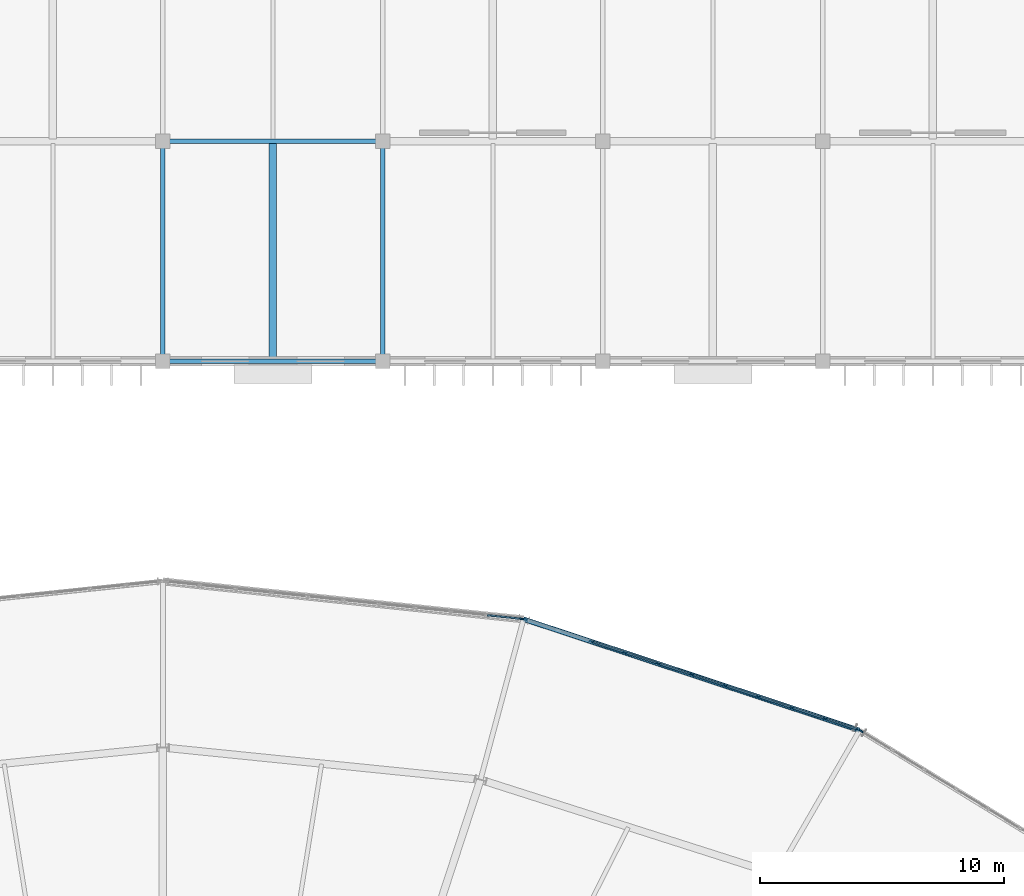
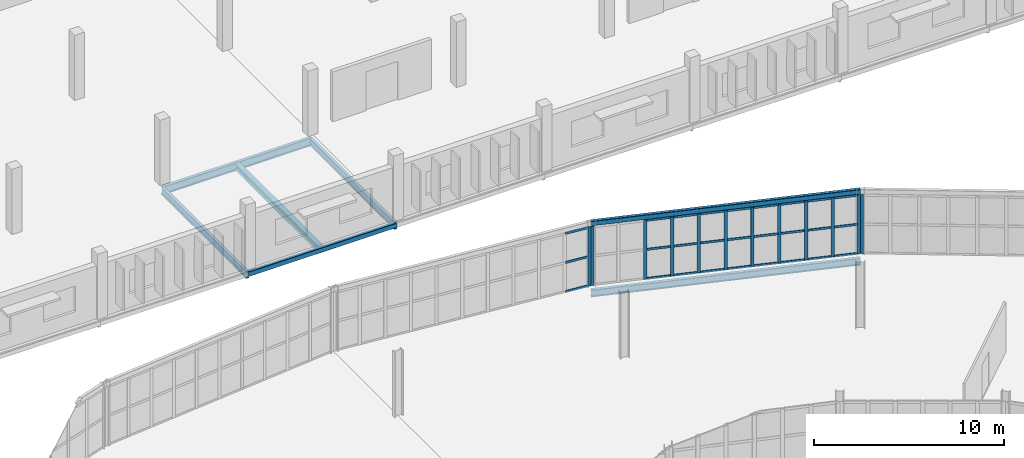
# One storey, part 99 of 161: 39 members, 7 beams, 3 elements without a shape of their own.
"""IFC4 building model written with IfcOpenShell, lengths in metres."""

from ifc_helpers import new_model, si_unit, direction, frame, origin, origin_2d, place, context, subcontext, project, spatial, rectangle, hollow_rectangle, i_section, extrude, material, material_profile, profile_set, type_object, element, aggregate, save


model = new_model("IFC4")

# Units and contexts
model_context = context("Model", 3, precision=1e-05, world=origin(), true_north=direction((0.0, 1.0)))
body_context = subcontext(model_context, "Body", "Model", "MODEL_VIEW")
ifc_project = project(units=[si_unit("LENGTHUNIT", "METRE"), si_unit("AREAUNIT", "SQUARE_METRE"), si_unit("VOLUMEUNIT", "CUBIC_METRE"), si_unit("PLANEANGLEUNIT", "RADIAN"), si_unit("MASSUNIT", "GRAM", prefix="KILO")], contexts=[model_context])

# Site, building, storey
site_placement = place(None, origin())
site = spatial("IfcSite", under=ifc_project, at=site_placement, CompositionType="ELEMENT")
building_placement = place(site_placement, origin())
building = spatial("IfcBuilding", under=site, at=building_placement, Name="Kildeholm Park Wholesale Market", CompositionType="ELEMENT")
storey_placement = place(building_placement, frame((0.0, 0.0, 5.39990234375)))
storey = spatial("IfcBuildingStorey", under=building, at=storey_placement, Name="L01", CompositionType="ELEMENT", Elevation=5.39990234375)

# Beams
ifc_material_1 = material(Name="Steel S355", Category="steel")
ifc_material_profile_1 = material_profile(ifc_material_1, i_section(OverallWidth=0.18994140625, OverallDepth=0.449951171875, WebThickness=0.009521484375, FlangeThickness=0.0146484375, FilletRadius=0.02099609375, at=origin_2d()), Name="IPE 450")
ifc_profile_set_1 = profile_set([ifc_material_profile_1], Name="Steel S355")
beam_type_1 = type_object("IfcBeamType", Name="Beam B-P02 IPE 450", PredefinedType="BEAM", material=ifc_profile_set_1)
beam_1_placement = place(storey_placement, frame((127.5, 128.904052734375, -0.474853515625), z_axis=(-0.949435985478, 0.313960681424, 0.0), x_axis=(-0.313960681424, -0.949435985478, 0.0)))
element("IfcBeam", 1, at=beam_1_placement, inside=storey, type_object=beam_type_1, Name="Beam BM-V1-L01-CO-04 BM-0042", PredefinedType="BEAM", context=body_context, shape_type="SweptSolid", body=[
    extrude(i_section(OverallWidth=0.18994140625, OverallDepth=0.449951171875, WebThickness=0.009521484375, FlangeThickness=0.0146484375, FilletRadius=0.02099609375, at=origin_2d()), origin(), (0.0, 0.0, 1.0), 14.479248046875),
])
for number, where, z_axis, x_axis, name in (
    (2, (99.0, 144.0, -0.544921875), (0.0, 1.0, 0.0), (-1.0, 0.0, 0.0), "Beam BM-V4-L01-Y-099-144 BM-0590"),
    (3, (108.0, 144.0, -0.544921875), (0.0, 1.0, 0.0), (-1.0, 0.0, 0.0), "Beam BM-V4-L01-Y-108-144 BM-0600"),
):
    element("IfcBeam", number, at=place(storey_placement, frame(where, z_axis=z_axis, x_axis=x_axis)), inside=storey, type_object=beam_type_1, Name=name, PredefinedType="BEAM", context=body_context, shape_type="SweptSolid", body=[
        extrude(i_section(OverallWidth=0.18994140625, OverallDepth=0.449951171875, WebThickness=0.009521484375, FlangeThickness=0.0146484375, FilletRadius=0.02099609375, at=origin_2d()), origin(), (0.0, 0.0, 1.0), 9.0),
    ])
ifc_material_profile_2 = material_profile(ifc_material_1, i_section(OverallWidth=0.199951171875, OverallDepth=0.5, WebThickness=0.01025390625, FlangeThickness=0.01611328125, FilletRadius=0.02099609375, at=origin_2d()), Name="IPE 500")
ifc_profile_set_2 = profile_set([ifc_material_profile_2], Name="Steel S355")
beam_type_2 = type_object("IfcBeamType", Name="Beam B-P03 IPE 500", PredefinedType="BEAM", material=ifc_profile_set_2)
beam_2_placement = place(storey_placement, frame((99.0, 153.0, -0.56982421875), z_axis=(1.0, 0.0, 0.0), x_axis=(0.0, 1.0, 0.0)))
element("IfcBeam", 4, at=beam_2_placement, inside=storey, type_object=beam_type_2, Name="Beam BM-V4-L01-X-099-153 BM-0592", PredefinedType="BEAM", context=body_context, shape_type="SweptSolid", body=[
    extrude(i_section(OverallWidth=0.199951171875, OverallDepth=0.5, WebThickness=0.01025390625, FlangeThickness=0.01611328125, FilletRadius=0.02099609375, at=origin_2d()), origin(), (0.0, 0.0, 1.0), 9.0),
])
ifc_material_profile_3 = material_profile(ifc_material_1, i_section(OverallWidth=0.300048828125, OverallDepth=0.389892578125, WebThickness=0.010986328125, FlangeThickness=0.01904296875, FilletRadius=0.027099609375, at=origin_2d()), Name="HEA 400")
ifc_profile_set_3 = profile_set([ifc_material_profile_3], Name="Steel S355")
beam_type_3 = type_object("IfcBeamType", Name="Beam J-06 HEA 400", PredefinedType="JOIST", material=ifc_profile_set_3)
beam_3_placement = place(storey_placement, frame((103.5, 144.0849609375, -0.514892578125), z_axis=(0.0, 1.0, 0.0), x_axis=(-1.0, 0.0, 0.0)))
element("IfcBeam", 5, at=beam_3_placement, inside=storey, type_object=beam_type_3, Name="Beam JT-V4-L01-099-144 BM-0591", PredefinedType="JOIST", context=body_context, shape_type="SweptSolid", body=[
    extrude(i_section(OverallWidth=0.300048828125, OverallDepth=0.389892578125, WebThickness=0.010986328125, FlangeThickness=0.01904296875, FilletRadius=0.027099609375, at=origin_2d()), origin(), (0.0, 0.0, 1.0), 8.830078125),
])
ifc_material_profile_4 = material_profile(ifc_material_1, hollow_rectangle(XDim=0.199951171875, YDim=0.300048828125, WallThickness=0.012451171875, InnerFilletRadius=0.012451171875, OuterFilletRadius=0.02490234375, at=origin_2d()), Name="RHS 300x200x12.5")
ifc_profile_set_4 = profile_set([ifc_material_profile_4], Name="Steel S355")
beam_type_4 = type_object("IfcBeamType", Name="Beam SP-01 RHS 300x200x12.5", PredefinedType="SPANDREL", material=ifc_profile_set_4)
beam_4_placement = place(storey_placement, frame((127.5, 128.904052734375, 4.02294921875), z_axis=(-0.949435985478, 0.313960681424, 0.0), x_axis=(-0.313960681424, -0.949435985478, 0.0)))
element("IfcBeam", 6, at=beam_4_placement, inside=storey, type_object=beam_type_4, Name="Beam SP-V1-EAV-04 BM-0244", PredefinedType="SPANDREL", context=body_context, shape_type="SweptSolid", body=[
    extrude(hollow_rectangle(XDim=0.199951171875, YDim=0.300048828125, WallThickness=0.012451171875, InnerFilletRadius=0.012451171875, OuterFilletRadius=0.02490234375, at=origin_2d()), origin(), (0.0, 0.0, 1.0), 14.479248046875),
])
beam_5_placement = place(storey_placement, frame((99.0, 144.0, -0.469970703125), z_axis=(1.0, 0.0, 0.0), x_axis=(0.0, 1.0, 0.0)))
element("IfcBeam", 7, at=beam_5_placement, inside=storey, type_object=beam_type_4, Name="Beam BM-V4-L01-X-099-144 BM-0589", PredefinedType="SPANDREL", context=body_context, shape_type="SweptSolid", body=[
    extrude(hollow_rectangle(XDim=0.199951171875, YDim=0.300048828125, WallThickness=0.012451171875, InnerFilletRadius=0.012451171875, OuterFilletRadius=0.02490234375, at=origin_2d()), origin(), (0.0, 0.0, 1.0), 9.0),
])

# Curtain wall, member
ifc_material_2 = material(Name="Anodised aluminium and low-E double-glazed glass", Category="aluminium")
curtain_wall_type = type_object("IfcCurtainWallType", Name="Market hall glazed arcade stick curtain wall CW-01", PredefinedType="NOTDEFINED", material=ifc_material_2)
curtain_wall_1_placement = place(storey_placement, origin())
curtain_wall_1 = element("IfcCurtainWall", 8, at=curtain_wall_1_placement, inside=storey, type_object=curtain_wall_type, Name="Curtain wall CW-V1-OT-03-1 CW-0016", PredefinedType="NOTDEFINED")
ifc_material_3 = material(Name="Anodised aluminium", Category="aluminium")
ifc_material_profile_5 = material_profile(ifc_material_3, rectangle(XDim=0.06494140625, YDim=0.179931640625, at=origin_2d()), Name="CWM 65x180")
ifc_profile_set_5 = profile_set([ifc_material_profile_5], Name="Anodised aluminium")
member_type_1 = type_object("IfcMemberType", Name="Curtain-wall mullion CWM-1 CWM 65x180", PredefinedType="MULLION", material=ifc_profile_set_5)
member_1_placement = place(storey_placement, frame((127.564697265625, 128.8701171875, 0.0), z_axis=(0.0, 0.0, 1.0), x_axis=(-0.522284342695, -0.852771402766, 0.0)))
member_1 = element("IfcMember", 9, at=member_1_placement, type_object=member_type_1, Name="CW-01 mullion 10 MEM-0782", PredefinedType="MULLION", context=body_context, shape_type="SweptSolid", body=[
    extrude(rectangle(XDim=0.06494140625, YDim=0.179931640625, at=origin_2d()), origin(), (0.0, 0.0, 1.0), 3.800048828125),
])
aggregate(curtain_wall_1, [member_1])

# Curtain wall, members
curtain_wall_2_placement = place(storey_placement, origin())
curtain_wall_2 = element("IfcCurtainWall", 10, at=curtain_wall_2_placement, inside=storey, type_object=curtain_wall_type, Name="Curtain wall CW-V1-OT-04-1 CW-0021", PredefinedType="NOTDEFINED")
member_2_placement = place(storey_placement, frame((127.43310546875, 128.93115234375, 0.0), z_axis=(0.0, 0.0, 1.0), x_axis=(-0.313914140335, -0.949451374478, 0.0)))
member_2 = element("IfcMember", 11, at=member_2_placement, type_object=member_type_1, Name="CW-01 mullion 1 MEM-0918", PredefinedType="MULLION", context=body_context, shape_type="SweptSolid", body=[
    extrude(rectangle(XDim=0.06494140625, YDim=0.179931640625, at=origin_2d()), origin(), (0.0, 0.0, 1.0), 3.800048828125),
])
member_3_placement = place(storey_placement, frame((126.096923828125, 129.373046875, 0.0), z_axis=(0.0, 0.0, 1.0), x_axis=(-0.313914140335, -0.949451374478, 0.0)))
member_3 = element("IfcMember", 12, at=member_3_placement, type_object=member_type_1, Name="CW-01 mullion 2 MEM-0919", PredefinedType="MULLION", context=body_context, shape_type="SweptSolid", body=[
    extrude(rectangle(XDim=0.06494140625, YDim=0.179931640625, at=origin_2d()), origin(), (0.0, 0.0, 1.0), 3.800048828125),
])
member_4_placement = place(storey_placement, frame((124.729736328125, 129.824951171875, 0.0), z_axis=(0.0, 0.0, 1.0), x_axis=(-0.313914140335, -0.949451374478, 0.0)))
member_4 = element("IfcMember", 13, at=member_4_placement, type_object=member_type_1, Name="CW-01 mullion 3 MEM-0920", PredefinedType="MULLION", context=body_context, shape_type="SweptSolid", body=[
    extrude(rectangle(XDim=0.06494140625, YDim=0.179931640625, at=origin_2d()), origin(), (0.0, 0.0, 1.0), 3.800048828125),
])
member_5_placement = place(storey_placement, frame((123.36279296875, 130.277099609375, 0.0), z_axis=(0.0, 0.0, 1.0), x_axis=(-0.313914140335, -0.949451374478, 0.0)))
member_5 = element("IfcMember", 14, at=member_5_placement, type_object=member_type_1, Name="CW-01 mullion 4 MEM-0921", PredefinedType="MULLION", context=body_context, shape_type="SweptSolid", body=[
    extrude(rectangle(XDim=0.06494140625, YDim=0.179931640625, at=origin_2d()), origin(), (0.0, 0.0, 1.0), 3.800048828125),
])
member_6_placement = place(storey_placement, frame((121.99560546875, 130.72900390625, 0.0), z_axis=(0.0, 0.0, 1.0), x_axis=(-0.313914140335, -0.949451374478, 0.0)))
member_6 = element("IfcMember", 15, at=member_6_placement, type_object=member_type_1, Name="CW-01 mullion 5 MEM-0922", PredefinedType="MULLION", context=body_context, shape_type="SweptSolid", body=[
    extrude(rectangle(XDim=0.06494140625, YDim=0.179931640625, at=origin_2d()), origin(), (0.0, 0.0, 1.0), 3.800048828125),
])
member_7_placement = place(storey_placement, frame((120.62841796875, 131.180908203125, 0.0), z_axis=(0.0, 0.0, 1.0), x_axis=(-0.313914140335, -0.949451374478, 0.0)))
member_7 = element("IfcMember", 16, at=member_7_placement, type_object=member_type_1, Name="CW-01 mullion 6 MEM-0923", PredefinedType="MULLION", context=body_context, shape_type="SweptSolid", body=[
    extrude(rectangle(XDim=0.06494140625, YDim=0.179931640625, at=origin_2d()), origin(), (0.0, 0.0, 1.0), 3.800048828125),
])
member_8_placement = place(storey_placement, frame((119.261474609375, 131.633056640625, 0.0), z_axis=(0.0, 0.0, 1.0), x_axis=(-0.313914140335, -0.949451374478, 0.0)))
member_8 = element("IfcMember", 17, at=member_8_placement, type_object=member_type_1, Name="CW-01 mullion 7 MEM-0924", PredefinedType="MULLION", context=body_context, shape_type="SweptSolid", body=[
    extrude(rectangle(XDim=0.06494140625, YDim=0.179931640625, at=origin_2d()), origin(), (0.0, 0.0, 1.0), 3.800048828125),
])
member_9_placement = place(storey_placement, frame((117.894287109375, 132.0849609375, 0.0), z_axis=(0.0, 0.0, 1.0), x_axis=(-0.313914140335, -0.949451374478, 0.0)))
member_9 = element("IfcMember", 18, at=member_9_placement, type_object=member_type_1, Name="CW-01 mullion 8 MEM-0925", PredefinedType="MULLION", context=body_context, shape_type="SweptSolid", body=[
    extrude(rectangle(XDim=0.06494140625, YDim=0.179931640625, at=origin_2d()), origin(), (0.0, 0.0, 1.0), 3.800048828125),
])
member_10_placement = place(storey_placement, frame((116.527099609375, 132.537109375, 0.0), z_axis=(0.0, 0.0, 1.0), x_axis=(-0.313914140335, -0.949451374478, 0.0)))
member_10 = element("IfcMember", 19, at=member_10_placement, type_object=member_type_1, Name="CW-01 mullion 9 MEM-0926", PredefinedType="MULLION", context=body_context, shape_type="SweptSolid", body=[
    extrude(rectangle(XDim=0.06494140625, YDim=0.179931640625, at=origin_2d()), origin(), (0.0, 0.0, 1.0), 3.800048828125),
])
member_11_placement = place(storey_placement, frame((113.823974609375, 133.430908203125, 0.0), z_axis=(0.0, 0.0, 1.0), x_axis=(-0.313914140335, -0.949451374478, 0.0)))
member_11 = element("IfcMember", 20, at=member_11_placement, type_object=member_type_1, Name="CW-01 mullion 11 MEM-0928", PredefinedType="MULLION", context=body_context, shape_type="SweptSolid", body=[
    extrude(rectangle(XDim=0.06494140625, YDim=0.179931640625, at=origin_2d()), origin(), (0.0, 0.0, 1.0), 3.800048828125),
])

# Curtain wall, member
curtain_wall_3_placement = place(storey_placement, origin())
curtain_wall_3 = element("IfcCurtainWall", 21, at=curtain_wall_3_placement, inside=storey, type_object=curtain_wall_type, Name="Curtain wall CW-V1-OT-05-1 CW-0026", PredefinedType="NOTDEFINED")
member_12_placement = place(storey_placement, frame((113.681640625, 133.46142578125, 0.0), z_axis=(0.0, 0.0, 1.0), x_axis=(-0.104508383308, -0.994524005652, 0.0)))
member_12 = element("IfcMember", 22, at=member_12_placement, type_object=member_type_1, Name="CW-01 mullion 1 MEM-1067", PredefinedType="MULLION", context=body_context, shape_type="SweptSolid", body=[
    extrude(rectangle(XDim=0.06494140625, YDim=0.179931640625, at=origin_2d()), origin(), (0.0, 0.0, 1.0), 3.800048828125),
])

# Member
ifc_material_profile_6 = material_profile(ifc_material_3, rectangle(XDim=0.06494140625, YDim=0.139892578125, at=origin_2d()), Name="CWT 65x140")
ifc_profile_set_6 = profile_set([ifc_material_profile_6], Name="Anodised aluminium")
member_type_2 = type_object("IfcMemberType", Name="Curtain-wall transom CWT-1 CWT 65x140", PredefinedType="USERDEFINED", material=ifc_profile_set_6)
member_13_placement = place(storey_placement, frame((127.40234375, 128.94140625, 0.03271484375), z_axis=(-0.949462371896, 0.313880876057, 0.0), x_axis=(-0.313880876057, -0.949462371896, 0.0)))
member_13 = element("IfcMember", 23, at=member_13_placement, type_object=member_type_2, Name="CW-01 transom 1.1 MEM-0929", ObjectType="TRANSOM", PredefinedType="USERDEFINED", context=body_context, shape_type="SweptSolid", body=[
    extrude(rectangle(XDim=0.06494140625, YDim=0.139892578125, at=origin_2d()), origin(), (0.0, 0.0, 1.0), 1.342529296875),
])

member_14_placement = place(storey_placement, frame((127.40234375, 128.94140625, 1.900146484375), z_axis=(-0.949462371896, 0.313880876057, 0.0), x_axis=(-0.313880876057, -0.949462371896, 0.0)))
member_14 = element("IfcMember", 24, at=member_14_placement, type_object=member_type_2, Name="CW-01 transom 1.2 MEM-0930", ObjectType="TRANSOM", PredefinedType="USERDEFINED", context=body_context, shape_type="SweptSolid", body=[
    extrude(rectangle(XDim=0.06494140625, YDim=0.139892578125, at=origin_2d()), origin(), (0.0, 0.0, 1.0), 1.342529296875),
])

member_15_placement = place(storey_placement, frame((127.40234375, 128.94140625, 3.767578125), z_axis=(-0.949462371896, 0.313880876057, 0.0), x_axis=(-0.313880876057, -0.949462371896, 0.0)))
member_15 = element("IfcMember", 25, at=member_15_placement, type_object=member_type_2, Name="CW-01 transom 1.3 MEM-0931", ObjectType="TRANSOM", PredefinedType="USERDEFINED", context=body_context, shape_type="SweptSolid", body=[
    extrude(rectangle(XDim=0.06494140625, YDim=0.139892578125, at=origin_2d()), origin(), (0.0, 0.0, 1.0), 1.342529296875),
])

member_16_placement = place(storey_placement, frame((126.066162109375, 129.38330078125, 0.03271484375), z_axis=(-0.949496981018, 0.313776167095, 0.0), x_axis=(-0.313776167095, -0.949496981018, 0.0)))
member_16 = element("IfcMember", 26, at=member_16_placement, type_object=member_type_2, Name="CW-01 transom 2.1 MEM-0932", ObjectType="TRANSOM", PredefinedType="USERDEFINED", context=body_context, shape_type="SweptSolid", body=[
    extrude(rectangle(XDim=0.06494140625, YDim=0.139892578125, at=origin_2d()), origin(), (0.0, 0.0, 1.0), 1.374755859375),
])

member_17_placement = place(storey_placement, frame((126.066162109375, 129.38330078125, 1.900146484375), z_axis=(-0.949496981018, 0.313776167095, 0.0), x_axis=(-0.313776167095, -0.949496981018, 0.0)))
member_17 = element("IfcMember", 27, at=member_17_placement, type_object=member_type_2, Name="CW-01 transom 2.2 MEM-0933", ObjectType="TRANSOM", PredefinedType="USERDEFINED", context=body_context, shape_type="SweptSolid", body=[
    extrude(rectangle(XDim=0.06494140625, YDim=0.139892578125, at=origin_2d()), origin(), (0.0, 0.0, 1.0), 1.374755859375),
])

member_18_placement = place(storey_placement, frame((126.066162109375, 129.38330078125, 3.767578125), z_axis=(-0.949496981018, 0.313776167095, 0.0), x_axis=(-0.313776167095, -0.949496981018, 0.0)))
member_18 = element("IfcMember", 28, at=member_18_placement, type_object=member_type_2, Name="CW-01 transom 2.3 MEM-0934", ObjectType="TRANSOM", PredefinedType="USERDEFINED", context=body_context, shape_type="SweptSolid", body=[
    extrude(rectangle(XDim=0.06494140625, YDim=0.139892578125, at=origin_2d()), origin(), (0.0, 0.0, 1.0), 1.374755859375),
])

member_19_placement = place(storey_placement, frame((124.698974609375, 129.835205078125, 0.03271484375), z_axis=(-0.949444065444, 0.313936246064, 0.0), x_axis=(-0.313936246064, -0.949444065444, 0.0)))
member_19 = element("IfcMember", 29, at=member_19_placement, type_object=member_type_2, Name="CW-01 transom 3.1 MEM-0935", ObjectType="TRANSOM", PredefinedType="USERDEFINED", context=body_context, shape_type="SweptSolid", body=[
    extrude(rectangle(XDim=0.06494140625, YDim=0.139892578125, at=origin_2d()), origin(), (0.0, 0.0, 1.0), 1.375),
])

member_20_placement = place(storey_placement, frame((124.698974609375, 129.835205078125, 1.900146484375), z_axis=(-0.949444065444, 0.313936246064, 0.0), x_axis=(-0.313936246064, -0.949444065444, 0.0)))
member_20 = element("IfcMember", 30, at=member_20_placement, type_object=member_type_2, Name="CW-01 transom 3.2 MEM-0936", ObjectType="TRANSOM", PredefinedType="USERDEFINED", context=body_context, shape_type="SweptSolid", body=[
    extrude(rectangle(XDim=0.06494140625, YDim=0.139892578125, at=origin_2d()), origin(), (0.0, 0.0, 1.0), 1.375),
])

member_21_placement = place(storey_placement, frame((124.698974609375, 129.835205078125, 3.767578125), z_axis=(-0.949444065444, 0.313936246064, 0.0), x_axis=(-0.313936246064, -0.949444065444, 0.0)))
member_21 = element("IfcMember", 31, at=member_21_placement, type_object=member_type_2, Name="CW-01 transom 3.3 MEM-0937", ObjectType="TRANSOM", PredefinedType="USERDEFINED", context=body_context, shape_type="SweptSolid", body=[
    extrude(rectangle(XDim=0.06494140625, YDim=0.139892578125, at=origin_2d()), origin(), (0.0, 0.0, 1.0), 1.375),
])

member_22_placement = place(storey_placement, frame((123.331787109375, 130.287109375, 0.03271484375), z_axis=(-0.949444065444, 0.313936246064, 0.0), x_axis=(-0.313936246064, -0.949444065444, 0.0)))
member_22 = element("IfcMember", 32, at=member_22_placement, type_object=member_type_2, Name="CW-01 transom 4.1 MEM-0938", ObjectType="TRANSOM", PredefinedType="USERDEFINED", context=body_context, shape_type="SweptSolid", body=[
    extrude(rectangle(XDim=0.06494140625, YDim=0.139892578125, at=origin_2d()), origin(), (0.0, 0.0, 1.0), 1.375),
])

member_23_placement = place(storey_placement, frame((123.331787109375, 130.287109375, 1.900146484375), z_axis=(-0.949444065444, 0.313936246064, 0.0), x_axis=(-0.313936246064, -0.949444065444, 0.0)))
member_23 = element("IfcMember", 33, at=member_23_placement, type_object=member_type_2, Name="CW-01 transom 4.2 MEM-0939", ObjectType="TRANSOM", PredefinedType="USERDEFINED", context=body_context, shape_type="SweptSolid", body=[
    extrude(rectangle(XDim=0.06494140625, YDim=0.139892578125, at=origin_2d()), origin(), (0.0, 0.0, 1.0), 1.375),
])

member_24_placement = place(storey_placement, frame((123.331787109375, 130.287109375, 3.767578125), z_axis=(-0.949444065444, 0.313936246064, 0.0), x_axis=(-0.313936246064, -0.949444065444, 0.0)))
member_24 = element("IfcMember", 34, at=member_24_placement, type_object=member_type_2, Name="CW-01 transom 4.3 MEM-0940", ObjectType="TRANSOM", PredefinedType="USERDEFINED", context=body_context, shape_type="SweptSolid", body=[
    extrude(rectangle(XDim=0.06494140625, YDim=0.139892578125, at=origin_2d()), origin(), (0.0, 0.0, 1.0), 1.375),
])

member_25_placement = place(storey_placement, frame((121.96484375, 130.7392578125, 0.03271484375), z_axis=(-0.949444065444, 0.313936246064, 0.0), x_axis=(-0.313936246064, -0.949444065444, 0.0)))
member_25 = element("IfcMember", 35, at=member_25_placement, type_object=member_type_2, Name="CW-01 transom 5.1 MEM-0941", ObjectType="TRANSOM", PredefinedType="USERDEFINED", context=body_context, shape_type="SweptSolid", body=[
    extrude(rectangle(XDim=0.06494140625, YDim=0.139892578125, at=origin_2d()), origin(), (0.0, 0.0, 1.0), 1.375),
])

member_26_placement = place(storey_placement, frame((121.96484375, 130.7392578125, 1.900146484375), z_axis=(-0.949444065444, 0.313936246064, 0.0), x_axis=(-0.313936246064, -0.949444065444, 0.0)))
member_26 = element("IfcMember", 36, at=member_26_placement, type_object=member_type_2, Name="CW-01 transom 5.2 MEM-0942", ObjectType="TRANSOM", PredefinedType="USERDEFINED", context=body_context, shape_type="SweptSolid", body=[
    extrude(rectangle(XDim=0.06494140625, YDim=0.139892578125, at=origin_2d()), origin(), (0.0, 0.0, 1.0), 1.375),
])

member_27_placement = place(storey_placement, frame((121.96484375, 130.7392578125, 3.767578125), z_axis=(-0.949444065444, 0.313936246064, 0.0), x_axis=(-0.313936246064, -0.949444065444, 0.0)))
member_27 = element("IfcMember", 37, at=member_27_placement, type_object=member_type_2, Name="CW-01 transom 5.3 MEM-0943", ObjectType="TRANSOM", PredefinedType="USERDEFINED", context=body_context, shape_type="SweptSolid", body=[
    extrude(rectangle(XDim=0.06494140625, YDim=0.139892578125, at=origin_2d()), origin(), (0.0, 0.0, 1.0), 1.375),
])

member_28_placement = place(storey_placement, frame((120.59765625, 131.191162109375, 0.03271484375), z_axis=(-0.949444065444, 0.313936246064, 0.0), x_axis=(-0.313936246064, -0.949444065444, 0.0)))
member_28 = element("IfcMember", 38, at=member_28_placement, type_object=member_type_2, Name="CW-01 transom 6.1 MEM-0944", ObjectType="TRANSOM", PredefinedType="USERDEFINED", context=body_context, shape_type="SweptSolid", body=[
    extrude(rectangle(XDim=0.06494140625, YDim=0.139892578125, at=origin_2d()), origin(), (0.0, 0.0, 1.0), 1.375),
])

member_29_placement = place(storey_placement, frame((120.59765625, 131.191162109375, 1.900146484375), z_axis=(-0.949444065444, 0.313936246064, 0.0), x_axis=(-0.313936246064, -0.949444065444, 0.0)))
member_29 = element("IfcMember", 39, at=member_29_placement, type_object=member_type_2, Name="CW-01 transom 6.2 MEM-0945", ObjectType="TRANSOM", PredefinedType="USERDEFINED", context=body_context, shape_type="SweptSolid", body=[
    extrude(rectangle(XDim=0.06494140625, YDim=0.139892578125, at=origin_2d()), origin(), (0.0, 0.0, 1.0), 1.375),
])

member_30_placement = place(storey_placement, frame((120.59765625, 131.191162109375, 3.767578125), z_axis=(-0.949444065444, 0.313936246064, 0.0), x_axis=(-0.313936246064, -0.949444065444, 0.0)))
member_30 = element("IfcMember", 40, at=member_30_placement, type_object=member_type_2, Name="CW-01 transom 6.3 MEM-0946", ObjectType="TRANSOM", PredefinedType="USERDEFINED", context=body_context, shape_type="SweptSolid", body=[
    extrude(rectangle(XDim=0.06494140625, YDim=0.139892578125, at=origin_2d()), origin(), (0.0, 0.0, 1.0), 1.375),
])

member_31_placement = place(storey_placement, frame((119.23046875, 131.643310546875, 0.03271484375), z_axis=(-0.949496981018, 0.313776167095, 0.0), x_axis=(-0.313776167095, -0.949496981018, 0.0)))
member_31 = element("IfcMember", 41, at=member_31_placement, type_object=member_type_2, Name="CW-01 transom 7.1 MEM-0947", ObjectType="TRANSOM", PredefinedType="USERDEFINED", context=body_context, shape_type="SweptSolid", body=[
    extrude(rectangle(XDim=0.06494140625, YDim=0.139892578125, at=origin_2d()), origin(), (0.0, 0.0, 1.0), 1.374755859375),
])

member_32_placement = place(storey_placement, frame((119.23046875, 131.643310546875, 1.900146484375), z_axis=(-0.949496981018, 0.313776167095, 0.0), x_axis=(-0.313776167095, -0.949496981018, 0.0)))
member_32 = element("IfcMember", 42, at=member_32_placement, type_object=member_type_2, Name="CW-01 transom 7.2 MEM-0948", ObjectType="TRANSOM", PredefinedType="USERDEFINED", context=body_context, shape_type="SweptSolid", body=[
    extrude(rectangle(XDim=0.06494140625, YDim=0.139892578125, at=origin_2d()), origin(), (0.0, 0.0, 1.0), 1.374755859375),
])

member_33_placement = place(storey_placement, frame((119.23046875, 131.643310546875, 3.767578125), z_axis=(-0.949496981018, 0.313776167095, 0.0), x_axis=(-0.313776167095, -0.949496981018, 0.0)))
member_33 = element("IfcMember", 43, at=member_33_placement, type_object=member_type_2, Name="CW-01 transom 7.3 MEM-0949", ObjectType="TRANSOM", PredefinedType="USERDEFINED", context=body_context, shape_type="SweptSolid", body=[
    extrude(rectangle(XDim=0.06494140625, YDim=0.139892578125, at=origin_2d()), origin(), (0.0, 0.0, 1.0), 1.374755859375),
])

member_34_placement = place(storey_placement, frame((117.863525390625, 132.09521484375, 0.03271484375), z_axis=(-0.949444065444, 0.313936246064, 0.0), x_axis=(-0.313936246064, -0.949444065444, 0.0)))
member_34 = element("IfcMember", 44, at=member_34_placement, type_object=member_type_2, Name="CW-01 transom 8.1 MEM-0950", ObjectType="TRANSOM", PredefinedType="USERDEFINED", context=body_context, shape_type="SweptSolid", body=[
    extrude(rectangle(XDim=0.06494140625, YDim=0.139892578125, at=origin_2d()), origin(), (0.0, 0.0, 1.0), 1.375),
])

member_35_placement = place(storey_placement, frame((117.863525390625, 132.09521484375, 1.900146484375), z_axis=(-0.949444065444, 0.313936246064, 0.0), x_axis=(-0.313936246064, -0.949444065444, 0.0)))
member_35 = element("IfcMember", 45, at=member_35_placement, type_object=member_type_2, Name="CW-01 transom 8.2 MEM-0951", ObjectType="TRANSOM", PredefinedType="USERDEFINED", context=body_context, shape_type="SweptSolid", body=[
    extrude(rectangle(XDim=0.06494140625, YDim=0.139892578125, at=origin_2d()), origin(), (0.0, 0.0, 1.0), 1.375),
])

member_36_placement = place(storey_placement, frame((117.863525390625, 132.09521484375, 3.767578125), z_axis=(-0.949444065444, 0.313936246064, 0.0), x_axis=(-0.313936246064, -0.949444065444, 0.0)))
member_36 = element("IfcMember", 46, at=member_36_placement, type_object=member_type_2, Name="CW-01 transom 8.3 MEM-0952", ObjectType="TRANSOM", PredefinedType="USERDEFINED", context=body_context, shape_type="SweptSolid", body=[
    extrude(rectangle(XDim=0.06494140625, YDim=0.139892578125, at=origin_2d()), origin(), (0.0, 0.0, 1.0), 1.375),
])

aggregate(curtain_wall_2, [member_2, member_3, member_4, member_5, member_6, member_7, member_8, member_9, member_10, member_11, member_13, member_14, member_15, member_16, member_17, member_18, member_19, member_20, member_21, member_22, member_23, member_24, member_25, member_26, member_27, member_28, member_29, member_30, member_31, member_32, member_33, member_34, member_35, member_36])

member_37_placement = place(storey_placement, frame((113.6494140625, 133.46484375, 0.03271484375), z_axis=(-0.994522911448, 0.104518795467, 0.0), x_axis=(-0.104518795467, -0.994522911448, 0.0)))
member_37 = element("IfcMember", 47, at=member_37_placement, type_object=member_type_2, Name="CW-01 transom 1.1 MEM-1078", ObjectType="TRANSOM", PredefinedType="USERDEFINED", context=body_context, shape_type="SweptSolid", body=[
    extrude(rectangle(XDim=0.06494140625, YDim=0.139892578125, at=origin_2d()), origin(), (0.0, 0.0, 1.0), 1.378173828125),
])

member_38_placement = place(storey_placement, frame((113.6494140625, 133.46484375, 1.900146484375), z_axis=(-0.994522911448, 0.104518795467, 0.0), x_axis=(-0.104518795467, -0.994522911448, 0.0)))
member_38 = element("IfcMember", 48, at=member_38_placement, type_object=member_type_2, Name="CW-01 transom 1.2 MEM-1079", ObjectType="TRANSOM", PredefinedType="USERDEFINED", context=body_context, shape_type="SweptSolid", body=[
    extrude(rectangle(XDim=0.06494140625, YDim=0.139892578125, at=origin_2d()), origin(), (0.0, 0.0, 1.0), 1.378173828125),
])

member_39_placement = place(storey_placement, frame((113.6494140625, 133.46484375, 3.767578125), z_axis=(-0.994522911448, 0.104518795467, 0.0), x_axis=(-0.104518795467, -0.994522911448, 0.0)))
member_39 = element("IfcMember", 49, at=member_39_placement, type_object=member_type_2, Name="CW-01 transom 1.3 MEM-1080", ObjectType="TRANSOM", PredefinedType="USERDEFINED", context=body_context, shape_type="SweptSolid", body=[
    extrude(rectangle(XDim=0.06494140625, YDim=0.139892578125, at=origin_2d()), origin(), (0.0, 0.0, 1.0), 1.378173828125),
])

aggregate(curtain_wall_3, [member_12, member_37, member_38, member_39])

save(model, "model.ifc")
